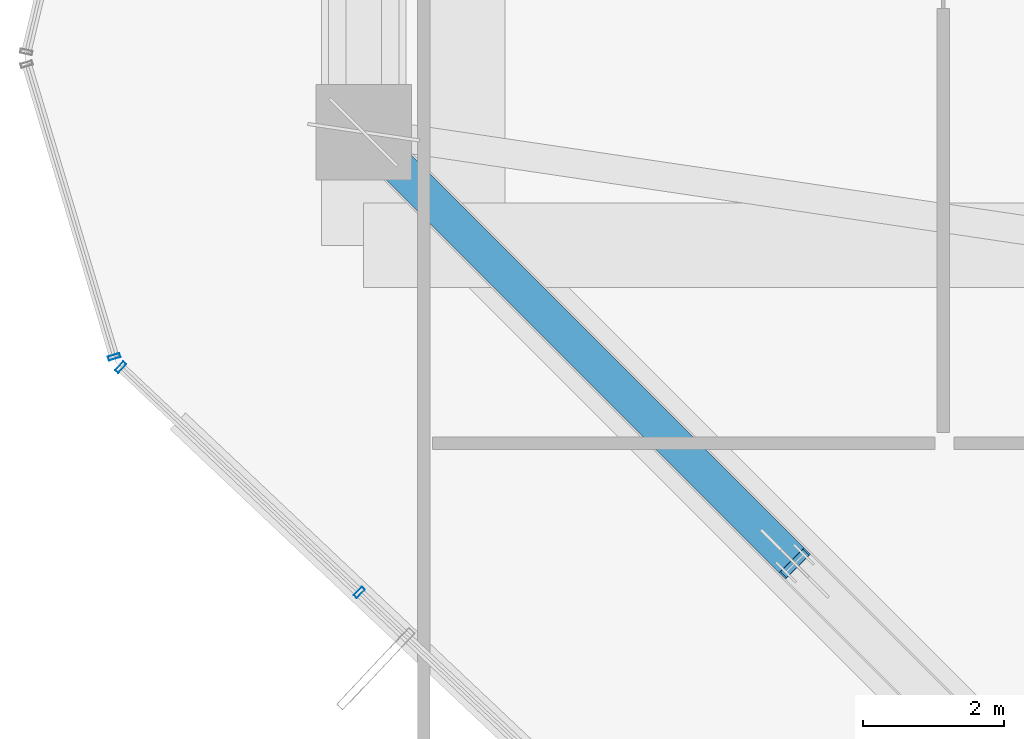
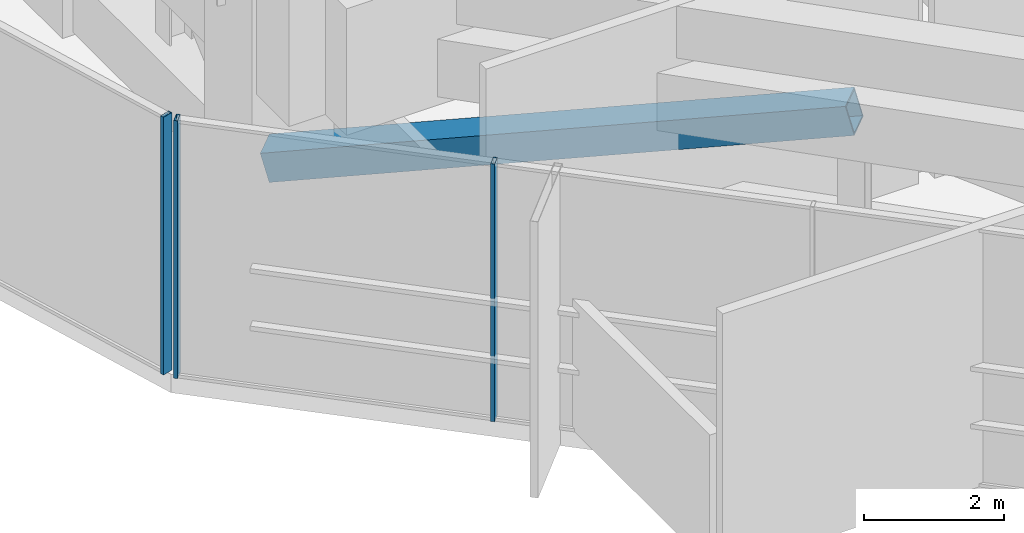
# One storey, part 4 of 41: 4 members, 2 elements without a shape of their own.
"""IFC4 building model written with IfcOpenShell, lengths in metres."""

from ifc_helpers import new_model, si_unit, direction, frame, origin, origin_2d, place, context, subcontext, project, spatial, hollow_rectangle, extrude, source, transform, mapped, material, layer, layer_set, material_profile, profile_set, type_object, element, aggregate, save


model = new_model("IFC4")

# Units and contexts
model_context = context("Model", 3, precision=1e-05, world=origin(), true_north=direction((0.0, 1.0)))
body_context = subcontext(model_context, "Body", "Model", "MODEL_VIEW")
ifc_project = project(units=[si_unit("LENGTHUNIT", "METRE"), si_unit("AREAUNIT", "SQUARE_METRE"), si_unit("VOLUMEUNIT", "CUBIC_METRE"), si_unit("PLANEANGLEUNIT", "RADIAN"), si_unit("MASSUNIT", "GRAM", prefix="KILO")], contexts=[model_context])

# Site, building, storey
site_placement = place(None, origin())
site = spatial("IfcSite", under=ifc_project, at=site_placement, CompositionType="ELEMENT")
building_placement = place(site_placement, origin())
building = spatial("IfcBuilding", under=site, at=building_placement, Name="Veraguas Prism Commons", CompositionType="ELEMENT")
storey_placement = place(building_placement, frame((0.0, 0.0, 80.35009765625)))
storey = spatial("IfcBuildingStorey", under=building, at=storey_placement, Name="L22", CompositionType="ELEMENT", Elevation=80.35009765625)

# Member
ifc_material_1 = material(Name="Steel ASTM A572 Grade 50", Category="steel")
ifc_material_profile_1 = material_profile(ifc_material_1, hollow_rectangle(XDim=0.5, YDim=0.5, WallThickness=0.02490234375, at=origin_2d()), Name="BOX500X500X25")
ifc_profile_set_1 = profile_set([ifc_material_profile_1], Name="Steel ASTM A572 Grade 50")
member_type_1 = type_object("IfcMemberType", Name="Perimeter Belt Diagonal BOX 500x500x25", PredefinedType="BRACE", material=ifc_profile_set_1)
member_1_placement = place(storey_placement, frame((6.39990234375, 18.60009765625, 0.5498046875), z_axis=(0.681639462261, -0.681639462261, 0.265961062898), x_axis=(0.707106781187, 0.707106781187, 0.0)))
element("IfcMember", 1, at=member_1_placement, inside=storey, type_object=member_type_1, Name="Perimeter Belt Truss Brace L22-09A", PredefinedType="BRACE", context=body_context, shape_type="SweptSolid", body=[
    extrude(hollow_rectangle(XDim=0.5, YDim=0.5, WallThickness=0.02490234375, at=origin_2d()), origin(), (0.0, 0.0, 1.0), 8.94921875),
])

# Curtain wall, members
ifc_material_2 = material(Name="Anodised aluminium EN AW-6063 T6", Category="aluminium")
ifc_layer = layer(ifc_material_2, 0.169921875, Name="Unitised Flush Curtain Wall Zone 1", Category="aluminium")
ifc_layer_set = layer_set([ifc_layer], Name="Anodised aluminium EN AW-6063 T6")
curtain_wall_type = type_object("IfcCurtainWallType", Name="Unitised Flush Curtain Wall Zone 1", PredefinedType="NOTDEFINED", material=ifc_layer_set)
curtain_wall_1_placement = place(storey_placement, origin())
curtain_wall_1 = element("IfcCurtainWall", 2, at=curtain_wall_1_placement, inside=storey, type_object=curtain_wall_type, Name="Tower Facade Curtain Wall L22-F4", PredefinedType="NOTDEFINED")
ifc_material_profile_2 = material_profile(ifc_material_2, hollow_rectangle(XDim=0.06005859375, YDim=0.169921875, WallThickness=0.00390625, at=origin_2d()), Name="AL60X170X4")
ifc_profile_set_2 = profile_set([ifc_material_profile_2], Name="Anodised aluminium EN AW-6063 T6")
member_type_2 = type_object("IfcMemberType", Name="Curtain Wall Mullion Lower AL 60x170x4", PredefinedType="MULLION", material=ifc_profile_set_2)
shared_shape = source(origin(), body_context, "Body", "SweptSolid", [
    extrude(hollow_rectangle(XDim=0.06005859375, YDim=0.169921875, WallThickness=0.00390625, at=origin_2d()), origin(), (0.0, 0.0, 1.0), 4.47998046875),
])
member_2_placement = place(storey_placement, frame((2.96240234375, 15.2744140625, 0.0), z_axis=(0.0, 0.0, 1.0), x_axis=(0.727294986673, -0.686324997621, 0.0)))
member_2 = element("IfcMember", 3, at=member_2_placement, type_object=member_type_2, Name="CW-Z1 Mullion 1", PredefinedType="MULLION", context=body_context, shape_type="MappedRepresentation", body=[
    mapped(shared_shape, transform((0.0, 0.0, 0.0), scale=1.0)),
])
member_3_placement = place(storey_placement, frame((6.337890625, 12.08935546875, 0.0), z_axis=(0.0, 0.0, 1.0), x_axis=(0.727294986673, -0.686324997621, 0.0)))
member_3 = element("IfcMember", 4, at=member_3_placement, type_object=member_type_2, Name="CW-Z1 Mullion 2", PredefinedType="MULLION", context=body_context, shape_type="MappedRepresentation", body=[
    mapped(shared_shape, transform((0.0, 0.0, 0.0), scale=1.0)),
])
aggregate(curtain_wall_1, [member_2, member_3])

# Curtain wall, member
curtain_wall_2_placement = place(storey_placement, origin())
curtain_wall_2 = element("IfcCurtainWall", 5, at=curtain_wall_2_placement, inside=storey, type_object=curtain_wall_type, Name="Chamfer Curtain Wall L22-C4", PredefinedType="NOTDEFINED")
member_4_placement = place(storey_placement, frame((2.87109375, 15.422607421875, 0.0), z_axis=(0.0, 0.0, 1.0), x_axis=(0.286691763629, -0.958022876902, 0.0)))
member_4 = element("IfcMember", 6, at=member_4_placement, type_object=member_type_2, Name="CW-Z1 Mullion 2", PredefinedType="MULLION", context=body_context, shape_type="MappedRepresentation", body=[
    mapped(shared_shape, transform((0.0, 0.0, 0.0), scale=1.0)),
])
aggregate(curtain_wall_2, [member_4])

save(model, "model.ifc")
